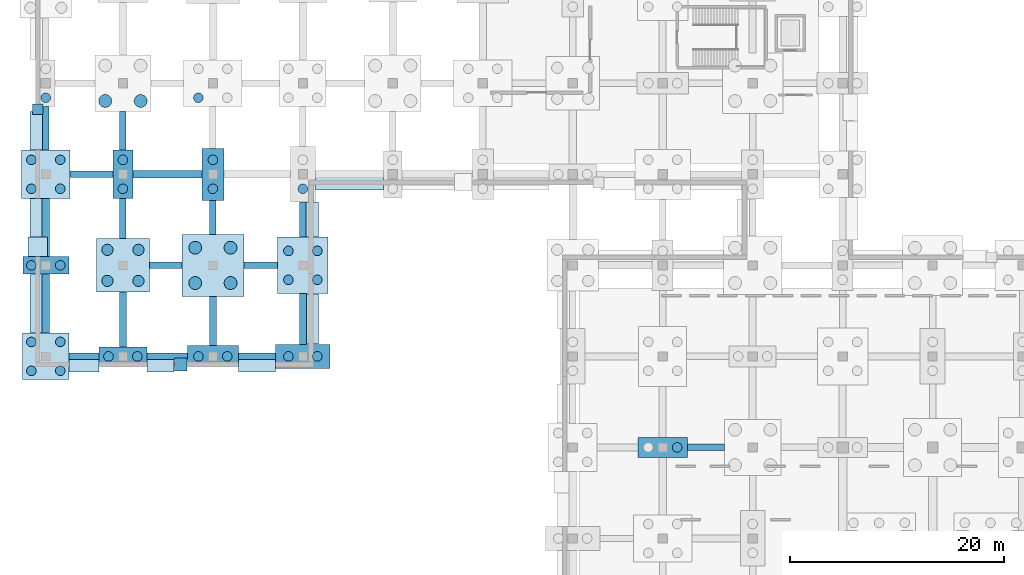
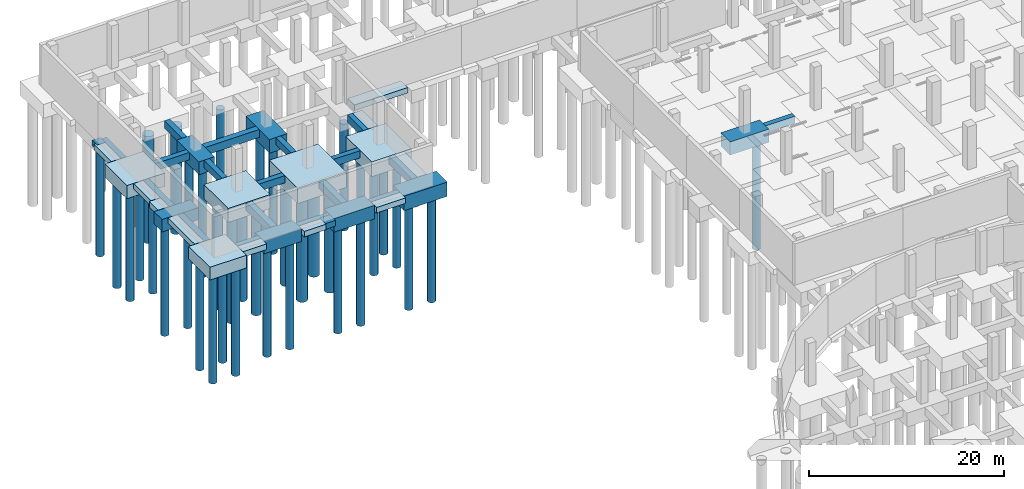
# One storey, part 6 of 34: 42 footings, 38 piles.
"""IFC4 building model written with IfcOpenShell, lengths in metres."""

from ifc_helpers import new_model, si_unit, direction, frame, origin, origin_2d, place, context, subcontext, project, spatial, rectangle, circle, extrude, material, material_profile, profile_set, type_object, element, save


model = new_model("IFC4")

# Units and contexts
model_context = context("Model", 3, precision=1e-05, world=origin(), true_north=direction((0.0, 1.0)))
body_context = subcontext(model_context, "Body", "Model", "MODEL_VIEW")
ifc_project = project(units=[si_unit("LENGTHUNIT", "METRE"), si_unit("AREAUNIT", "SQUARE_METRE"), si_unit("VOLUMEUNIT", "CUBIC_METRE"), si_unit("PLANEANGLEUNIT", "RADIAN"), si_unit("MASSUNIT", "GRAM", prefix="KILO")], contexts=[model_context])

# Site, building, storey
site_placement = place(None, origin())
site = spatial("IfcSite", under=ifc_project, at=site_placement, CompositionType="ELEMENT")
building_placement = place(site_placement, origin())
building = spatial("IfcBuilding", under=site, at=building_placement, Name="Solvento Point Concert Hall", CompositionType="ELEMENT")
storey_placement = place(building_placement, frame((0.0, 0.0, -5.39990234375)))
storey = spatial("IfcBuildingStorey", under=building, at=storey_placement, Name="B01", CompositionType="ELEMENT", Elevation=-5.39990234375)

# Piles
ifc_material_1 = material(Name="Concrete C40/50", Category="concrete")
ifc_material_profile_1 = material_profile(ifc_material_1, circle(Radius=0.52490234375, at=origin_2d()), Name="BP-1050")
ifc_profile_set_1 = profile_set([ifc_material_profile_1], Name="Concrete C40/50")
pile_type_1 = type_object("IfcPileType", Name="BoredPile_1050", PredefinedType="BORED", material=ifc_profile_set_1)
for number, where, z_axis, x_axis, name in (
    (1, (5.75, 109.050048828125, -1.66015625), (0.0, 0.0, -1.0), (1.0, 0.0, 0.0), "Bored pile BoredPile_1050 #19"),
    (2, (8.64990234375, 109.050048828125, -1.66015625), (0.0, 0.0, -1.0), (1.0, 0.0, 0.0), "Bored pile BoredPile_1050 #20"),
    (3, (5.75, 111.949951171875, -1.66015625), (0.0, 0.0, -1.0), (1.0, 0.0, 0.0), "Bored pile BoredPile_1050 #21"),
    (4, (8.64990234375, 111.949951171875, -1.66015625), (0.0, 0.0, -1.0), (1.0, 0.0, 0.0), "Bored pile BoredPile_1050 #22"),
):
    element("IfcPile", number, at=place(storey_placement, frame(where, z_axis=z_axis, x_axis=x_axis)), inside=storey, type_object=pile_type_1, Name=name, PredefinedType="BORED", context=body_context, shape_type="SweptSolid", body=[
        extrude(circle(Radius=0.52490234375, at=origin_2d()), origin(), (0.0, 0.0, 1.0), 13.43994140625),
    ])
ifc_material_2 = material(Name="Concrete C40/50", Category="concrete")
ifc_material_profile_2 = material_profile(ifc_material_2, circle(Radius=0.60009765625, at=origin_2d()), Name="BP-1200")
ifc_profile_set_2 = profile_set([ifc_material_profile_2], Name="Concrete C40/50")
pile_type_2 = type_object("IfcPileType", Name="BoredPile_1200", PredefinedType="BORED", material=ifc_profile_set_2)
for number, where, z_axis, x_axis, name in (
    (5, (5.550048828125, 125.85009765625, -1.7001953125), (0.0, 0.0, -1.0), (1.0, 0.0, 0.0), "Bored pile BoredPile_1200 #25"),
    (6, (8.85009765625, 125.85009765625, -1.7001953125), (0.0, 0.0, -1.0), (1.0, 0.0, 0.0), "Bored pile BoredPile_1200 #26"),
):
    element("IfcPile", number, at=place(storey_placement, frame(where, z_axis=z_axis, x_axis=x_axis)), inside=storey, type_object=pile_type_2, Name=name, PredefinedType="BORED", context=body_context, shape_type="SweptSolid", body=[
        extrude(circle(Radius=0.60009765625, at=origin_2d()), origin(), (0.0, 0.0, 1.0), 13.39990234375),
    ])
for number, where, z_axis, x_axis, name in (
    (7, (13.949951171875, 108.85009765625, -1.85009765625), (0.0, 0.0, -1.0), (1.0, 0.0, 0.0), "Bored pile BoredPile_1200 #43"),
    (8, (17.25, 108.85009765625, -1.85009765625), (0.0, 0.0, -1.0), (1.0, 0.0, 0.0), "Bored pile BoredPile_1200 #44"),
    (9, (13.949951171875, 112.14990234375, -1.85009765625), (0.0, 0.0, -1.0), (1.0, 0.0, 0.0), "Bored pile BoredPile_1200 #45"),
    (10, (17.25, 112.14990234375, -1.85009765625), (0.0, 0.0, -1.0), (1.0, 0.0, 0.0), "Bored pile BoredPile_1200 #46"),
):
    element("IfcPile", number, at=place(storey_placement, frame(where, z_axis=z_axis, x_axis=x_axis)), inside=storey, type_object=pile_type_2, Name=name, PredefinedType="BORED", context=body_context, shape_type="SweptSolid", body=[
        extrude(circle(Radius=0.60009765625, at=origin_2d()), origin(), (0.0, 0.0, 1.0), 13.25),
    ])
ifc_material_3 = material(Name="Concrete C40/50", Category="concrete")
ifc_material_profile_3 = material_profile(ifc_material_3, circle(Radius=0.449951171875, at=origin_2d()), Name="BP-900")
ifc_profile_set_3 = profile_set([ifc_material_profile_3], Name="Concrete C40/50")
pile_type_3 = type_object("IfcPileType", Name="BoredPile_900", PredefinedType="BORED", material=ifc_profile_set_3)
for number, where, z_axis, x_axis, name in (
    (11, (-1.35009765625, 100.64990234375, -1.5), (0.0, 0.0, -1.0), (1.0, 0.0, 0.0), "Bored pile BoredPile_900 #1"),
    (12, (1.35009765625, 100.64990234375, -1.5), (0.0, 0.0, -1.0), (1.0, 0.0, 0.0), "Bored pile BoredPile_900 #2"),
    (13, (-1.35009765625, 103.35009765625, -1.5), (0.0, 0.0, -1.0), (1.0, 0.0, 0.0), "Bored pile BoredPile_900 #3"),
    (14, (1.35009765625, 103.35009765625, -1.5), (0.0, 0.0, -1.0), (1.0, 0.0, 0.0), "Bored pile BoredPile_900 #4"),
):
    element("IfcPile", number, at=place(storey_placement, frame(where, z_axis=z_axis, x_axis=x_axis)), inside=storey, type_object=pile_type_3, Name=name, PredefinedType="BORED", context=body_context, shape_type="SweptSolid", body=[
        extrude(circle(Radius=0.449951171875, at=origin_2d()), origin(), (0.0, 0.0, 1.0), 13.60009765625),
    ])
for number, where, z_axis, x_axis, name in (
    (15, (-1.35009765625, 110.5, -1.4501953125), (0.0, 0.0, -1.0), (1.0, 0.0, 0.0), "Bored pile BoredPile_900 #5"),
    (16, (1.35009765625, 110.5, -1.4501953125), (0.0, 0.0, -1.0), (1.0, 0.0, 0.0), "Bored pile BoredPile_900 #6"),
):
    element("IfcPile", number, at=place(storey_placement, frame(where, z_axis=z_axis, x_axis=x_axis)), inside=storey, type_object=pile_type_3, Name=name, PredefinedType="BORED", context=body_context, shape_type="SweptSolid", body=[
        extrude(circle(Radius=0.449951171875, at=origin_2d()), origin(), (0.0, 0.0, 1.0), 13.64990234375),
    ])
for number, where, z_axis, x_axis, name in (
    (17, (-1.35009765625, 117.64990234375, -1.550048828125), (0.0, 0.0, -1.0), (1.0, 0.0, 0.0), "Bored pile BoredPile_900 #7"),
    (18, (1.35009765625, 117.64990234375, -1.550048828125), (0.0, 0.0, -1.0), (1.0, 0.0, 0.0), "Bored pile BoredPile_900 #8"),
    (19, (-1.35009765625, 120.35009765625, -1.550048828125), (0.0, 0.0, -1.0), (1.0, 0.0, 0.0), "Bored pile BoredPile_900 #9"),
    (20, (1.35009765625, 120.35009765625, -1.550048828125), (0.0, 0.0, -1.0), (1.0, 0.0, 0.0), "Bored pile BoredPile_900 #10"),
):
    element("IfcPile", number, at=place(storey_placement, frame(where, z_axis=z_axis, x_axis=x_axis)), inside=storey, type_object=pile_type_3, Name=name, PredefinedType="BORED", context=body_context, shape_type="SweptSolid", body=[
        extrude(circle(Radius=0.449951171875, at=origin_2d()), origin(), (0.0, 0.0, 1.0), 13.550048828125),
    ])
pile_1_placement = place(storey_placement, frame((0.0, 126.14990234375, -1.47998046875), z_axis=(0.0, 0.0, -1.0), x_axis=(1.0, 0.0, 0.0)))
element("IfcPile", 21, at=pile_1_placement, inside=storey, type_object=pile_type_3, Name="Bored pile BoredPile_900 #11", PredefinedType="BORED", context=body_context, shape_type="SweptSolid", body=[
    extrude(circle(Radius=0.449951171875, at=origin_2d()), origin(), (0.0, 0.0, 1.0), 13.6201171875),
])
for number, where, z_axis, x_axis, name in (
    (22, (5.85009765625, 102.0, -1.5), (0.0, 0.0, -1.0), (1.0, 0.0, 0.0), "Bored pile BoredPile_900 #17"),
    (23, (8.550048828125, 102.0, -1.5), (0.0, 0.0, -1.0), (1.0, 0.0, 0.0), "Bored pile BoredPile_900 #18"),
):
    element("IfcPile", number, at=place(storey_placement, frame(where, z_axis=z_axis, x_axis=x_axis)), inside=storey, type_object=pile_type_3, Name=name, PredefinedType="BORED", context=body_context, shape_type="SweptSolid", body=[
        extrude(circle(Radius=0.449951171875, at=origin_2d()), origin(), (0.0, 0.0, 1.0), 13.60009765625),
    ])
for number, where, z_axis, x_axis, name in (
    (24, (7.199951171875, 117.64990234375, -1.52001953125), (0.0, 0.0, -1.0), (1.0, 0.0, 0.0), "Bored pile BoredPile_900 #23"),
    (25, (7.199951171875, 120.35009765625, -1.52001953125), (0.0, 0.0, -1.0), (1.0, 0.0, 0.0), "Bored pile BoredPile_900 #24"),
):
    element("IfcPile", number, at=place(storey_placement, frame(where, z_axis=z_axis, x_axis=x_axis)), inside=storey, type_object=pile_type_3, Name=name, PredefinedType="BORED", context=body_context, shape_type="SweptSolid", body=[
        extrude(circle(Radius=0.449951171875, at=origin_2d()), origin(), (0.0, 0.0, 1.0), 13.580078125),
    ])
for number, where, z_axis, x_axis, name in (
    (26, (14.25, 102.0, -1.60009765625), (0.0, 0.0, -1.0), (1.0, 0.0, 0.0), "Bored pile BoredPile_900 #41"),
    (27, (16.949951171875, 102.0, -1.60009765625), (0.0, 0.0, -1.0), (1.0, 0.0, 0.0), "Bored pile BoredPile_900 #42"),
):
    element("IfcPile", number, at=place(storey_placement, frame(where, z_axis=z_axis, x_axis=x_axis)), inside=storey, type_object=pile_type_3, Name=name, PredefinedType="BORED", context=body_context, shape_type="SweptSolid", body=[
        extrude(circle(Radius=0.449951171875, at=origin_2d()), origin(), (0.0, 0.0, 1.0), 13.5),
    ])
for number, where, z_axis, x_axis, name in (
    (28, (15.60009765625, 117.64990234375, -1.6201171875), (0.0, 0.0, -1.0), (1.0, 0.0, 0.0), "Bored pile BoredPile_900 #47"),
    (29, (15.60009765625, 120.35009765625, -1.6201171875), (0.0, 0.0, -1.0), (1.0, 0.0, 0.0), "Bored pile BoredPile_900 #48"),
):
    element("IfcPile", number, at=place(storey_placement, frame(where, z_axis=z_axis, x_axis=x_axis)), inside=storey, type_object=pile_type_3, Name=name, PredefinedType="BORED", context=body_context, shape_type="SweptSolid", body=[
        extrude(circle(Radius=0.449951171875, at=origin_2d()), origin(), (0.0, 0.0, 1.0), 13.47998046875),
    ])
pile_2_placement = place(storey_placement, frame((14.25, 126.14990234375, -1.68017578125), z_axis=(0.0, 0.0, -1.0), x_axis=(1.0, 0.0, 0.0)))
element("IfcPile", 30, at=pile_2_placement, inside=storey, type_object=pile_type_3, Name="Bored pile BoredPile_900 #49", PredefinedType="BORED", context=body_context, shape_type="SweptSolid", body=[
    extrude(circle(Radius=0.449951171875, at=origin_2d()), origin(), (0.0, 0.0, 1.0), 13.419921875),
])
for number, where, z_axis, x_axis, name in (
    (31, (22.64990234375, 102.0, -1.7001953125), (0.0, 0.0, -1.0), (1.0, 0.0, 0.0), "Bored pile BoredPile_900 #65"),
    (32, (25.35009765625, 102.0, -1.7001953125), (0.0, 0.0, -1.0), (1.0, 0.0, 0.0), "Bored pile BoredPile_900 #66"),
):
    element("IfcPile", number, at=place(storey_placement, frame(where, z_axis=z_axis, x_axis=x_axis)), inside=storey, type_object=pile_type_3, Name=name, PredefinedType="BORED", context=body_context, shape_type="SweptSolid", body=[
        extrude(circle(Radius=0.449951171875, at=origin_2d()), origin(), (0.0, 0.0, 1.0), 13.39990234375),
    ])
for number, where, z_axis, x_axis, name in (
    (33, (22.64990234375, 109.14990234375, -1.760009765625), (0.0, 0.0, -1.0), (1.0, 0.0, 0.0), "Bored pile BoredPile_900 #67"),
    (34, (25.35009765625, 109.14990234375, -1.760009765625), (0.0, 0.0, -1.0), (1.0, 0.0, 0.0), "Bored pile BoredPile_900 #68"),
    (35, (22.64990234375, 111.85009765625, -1.760009765625), (0.0, 0.0, -1.0), (1.0, 0.0, 0.0), "Bored pile BoredPile_900 #69"),
    (36, (25.35009765625, 111.85009765625, -1.760009765625), (0.0, 0.0, -1.0), (1.0, 0.0, 0.0), "Bored pile BoredPile_900 #70"),
):
    element("IfcPile", number, at=place(storey_placement, frame(where, z_axis=z_axis, x_axis=x_axis)), inside=storey, type_object=pile_type_3, Name=name, PredefinedType="BORED", context=body_context, shape_type="SweptSolid", body=[
        extrude(circle(Radius=0.449951171875, at=origin_2d()), origin(), (0.0, 0.0, 1.0), 13.340087890625),
    ])
pile_3_placement = place(storey_placement, frame((24.0, 117.64990234375, -1.739990234375), z_axis=(0.0, 0.0, -1.0), x_axis=(1.0, 0.0, 0.0)))
element("IfcPile", 37, at=pile_3_placement, inside=storey, type_object=pile_type_3, Name="Bored pile BoredPile_900 #71", PredefinedType="BORED", context=body_context, shape_type="SweptSolid", body=[
    extrude(circle(Radius=0.449951171875, at=origin_2d()), origin(), (0.0, 0.0, 1.0), 13.360107421875),
])
pile_4_placement = place(storey_placement, frame((58.949951171875, 93.5, -1.550048828125), z_axis=(0.0, 0.0, -1.0), x_axis=(1.0, 0.0, 0.0)))
element("IfcPile", 38, at=pile_4_placement, inside=storey, type_object=pile_type_3, Name="Bored pile BoredPile_900 #198", PredefinedType="BORED", context=body_context, shape_type="SweptSolid", body=[
    extrude(circle(Radius=0.449951171875, at=origin_2d()), origin(), (0.0, 0.0, 1.0), 13.550048828125),
])

# Footings
ifc_material_4 = material(Name="Concrete C40/50", Category="concrete")
footing_type_1 = type_object("IfcFootingType", Name="PileCap_2A", PredefinedType="PILE_CAP", material=ifc_material_4)
footing_1_placement = place(storey_placement, frame((0.0, 110.5, -1.55029296875), z_axis=(0.0, 0.0, 1.0), x_axis=(1.0, 0.0, 0.0)))
element("IfcFooting", 39, at=footing_1_placement, inside=storey, type_object=footing_type_1, Name="Pile cap PC-2A at G-01-P", PredefinedType="PILE_CAP", context=body_context, shape_type="SweptSolid", body=[
    extrude(rectangle(XDim=4.300048828125, YDim=1.64990234375, at=origin_2d()), origin(), (0.0, 0.0, 1.0), 1.550048828125),
])
ifc_material_5 = material(Name="Concrete C40/50", Category="concrete")
footing_type_2 = type_object("IfcFootingType", Name="PileCap_2C", PredefinedType="PILE_CAP", material=ifc_material_5)
footing_2_placement = place(storey_placement, frame((7.199951171875, 102.0, -1.60009765625), z_axis=(0.0, 0.0, 1.0), x_axis=(1.0, 0.0, 0.0)))
element("IfcFooting", 40, at=footing_2_placement, inside=storey, type_object=footing_type_2, Name="Pile cap PC-2C at G-02-N", PredefinedType="PILE_CAP", context=body_context, shape_type="SweptSolid", body=[
    extrude(rectangle(XDim=4.4599609375, YDim=1.780029296875, at=origin_2d()), origin(), (0.0, 0.0, 1.0), 1.60009765625),
])
ifc_material_6 = material(Name="Concrete C40/50", Category="concrete")
footing_type_3 = type_object("IfcFootingType", Name="PileCap_2D", PredefinedType="PILE_CAP", material=ifc_material_6)
footing_3_placement = place(storey_placement, frame((7.199951171875, 119.0, -1.6201171875), z_axis=(0.0, 0.0, 1.0), x_axis=(1.0, 0.0, 0.0)))
element("IfcFooting", 41, at=footing_3_placement, inside=storey, type_object=footing_type_3, Name="Pile cap PC-2D at G-02-Q", PredefinedType="PILE_CAP", context=body_context, shape_type="SweptSolid", body=[
    extrude(rectangle(XDim=1.840087890625, YDim=4.5400390625, at=origin_2d()), origin(), (0.0, 0.0, 1.0), 1.6201171875),
])
ifc_material_7 = material(Name="Concrete C40/50", Category="concrete")
footing_type_4 = type_object("IfcFootingType", Name="PileCap_2E", PredefinedType="PILE_CAP", material=ifc_material_7)
footing_4_placement = place(storey_placement, frame((57.60009765625, 93.5, -1.650146484375), z_axis=(0.0, 0.0, 1.0), x_axis=(1.0, 0.0, 0.0)))
element("IfcFooting", 42, at=footing_4_placement, inside=storey, type_object=footing_type_4, Name="Pile cap PC-2E at G-08-M", PredefinedType="PILE_CAP", context=body_context, shape_type="SweptSolid", body=[
    extrude(rectangle(XDim=4.6201171875, YDim=1.89990234375, at=origin_2d()), origin(), (0.0, 0.0, 1.0), 1.64990234375),
])
ifc_material_8 = material(Name="Concrete C40/50", Category="concrete")
footing_type_5 = type_object("IfcFootingType", Name="PileCap_2G", PredefinedType="PILE_CAP", material=ifc_material_8)
footing_5_placement = place(storey_placement, frame((15.60009765625, 102.0, -1.7001953125), z_axis=(0.0, 0.0, 1.0), x_axis=(1.0, 0.0, 0.0)))
element("IfcFooting", 43, at=footing_5_placement, inside=storey, type_object=footing_type_5, Name="Pile cap PC-2G at G-03-N", PredefinedType="PILE_CAP", context=body_context, shape_type="SweptSolid", body=[
    extrude(rectangle(XDim=4.780029296875, YDim=2.02001953125, at=origin_2d()), origin(), (0.0, 0.0, 1.0), 1.699951171875),
])
ifc_material_9 = material(Name="Concrete C40/50", Category="concrete")
footing_type_6 = type_object("IfcFootingType", Name="PileCap_2H", PredefinedType="PILE_CAP", material=ifc_material_9)
footing_6_placement = place(storey_placement, frame((15.60009765625, 119.0, -1.72021484375), z_axis=(0.0, 0.0, 1.0), x_axis=(1.0, 0.0, 0.0)))
element("IfcFooting", 44, at=footing_6_placement, inside=storey, type_object=footing_type_6, Name="Pile cap PC-2H at G-03-Q", PredefinedType="PILE_CAP", context=body_context, shape_type="SweptSolid", body=[
    extrude(rectangle(XDim=2.080078125, YDim=4.860107421875, at=origin_2d()), origin(), (0.0, 0.0, 1.0), 1.719970703125),
])
ifc_material_10 = material(Name="Concrete C40/50", Category="concrete")
footing_type_7 = type_object("IfcFootingType", Name="PileCap_2L", PredefinedType="PILE_CAP", material=ifc_material_10)
footing_7_placement = place(storey_placement, frame((24.0, 102.0, -1.80029296875), z_axis=(0.0, 0.0, 1.0), x_axis=(1.0, 0.0, 0.0)))
element("IfcFooting", 45, at=footing_7_placement, inside=storey, type_object=footing_type_7, Name="Pile cap PC-2L at G-04-N", PredefinedType="PILE_CAP", context=body_context, shape_type="SweptSolid", body=[
    extrude(rectangle(XDim=5.10009765625, YDim=2.260009765625, at=origin_2d()), origin(), (0.0, 0.0, 1.0), 1.800048828125),
])
ifc_material_11 = material(Name="Concrete C40/50", Category="concrete")
footing_type_8 = type_object("IfcFootingType", Name="PileCap_4A", PredefinedType="PILE_CAP", material=ifc_material_11)
footing_8_placement = place(storey_placement, frame((0.0, 102.0, -1.60009765625), z_axis=(0.0, 0.0, 1.0), x_axis=(1.0, 0.0, 0.0)))
element("IfcFooting", 46, at=footing_8_placement, inside=storey, type_object=footing_type_8, Name="Pile cap PC-4A at G-01-N", PredefinedType="PILE_CAP", context=body_context, shape_type="SweptSolid", body=[
    extrude(rectangle(XDim=4.35009765625, YDim=4.35009765625, at=origin_2d()), origin(), (0.0, 0.0, 1.0), 1.60009765625),
])
ifc_material_12 = material(Name="Concrete C40/50", Category="concrete")
footing_type_9 = type_object("IfcFootingType", Name="PileCap_4B", PredefinedType="PILE_CAP", material=ifc_material_12)
footing_9_placement = place(storey_placement, frame((0.0, 119.0, -1.650146484375), z_axis=(0.0, 0.0, 1.0), x_axis=(1.0, 0.0, 0.0)))
element("IfcFooting", 47, at=footing_9_placement, inside=storey, type_object=footing_type_9, Name="Pile cap PC-4B at G-01-Q", PredefinedType="PILE_CAP", context=body_context, shape_type="SweptSolid", body=[
    extrude(rectangle(XDim=4.5, YDim=4.5, at=origin_2d()), origin(), (0.0, 0.0, 1.0), 1.64990234375),
])
ifc_material_13 = material(Name="Concrete C40/50", Category="concrete")
footing_type_10 = type_object("IfcFootingType", Name="PileCap_4D", PredefinedType="PILE_CAP", material=ifc_material_13)
footing_10_placement = place(storey_placement, frame((7.199951171875, 110.5, -1.76025390625), z_axis=(0.0, 0.0, 1.0), x_axis=(1.0, 0.0, 0.0)))
element("IfcFooting", 48, at=footing_10_placement, inside=storey, type_object=footing_type_10, Name="Pile cap PC-4D at G-02-P", PredefinedType="PILE_CAP", context=body_context, shape_type="SweptSolid", body=[
    extrude(rectangle(XDim=4.97998046875, YDim=4.97998046875, at=origin_2d()), origin(), (0.0, 0.0, 1.0), 1.760009765625),
])
ifc_material_14 = material(Name="Concrete C40/50", Category="concrete")
footing_type_11 = type_object("IfcFootingType", Name="PileCap_4H", PredefinedType="PILE_CAP", material=ifc_material_14)
footing_11_placement = place(storey_placement, frame((15.60009765625, 110.5, -1.9501953125), z_axis=(0.0, 0.0, 1.0), x_axis=(1.0, 0.0, 0.0)))
element("IfcFooting", 49, at=footing_11_placement, inside=storey, type_object=footing_type_11, Name="Pile cap PC-4H at G-03-P", PredefinedType="PILE_CAP", context=body_context, shape_type="SweptSolid", body=[
    extrude(rectangle(XDim=5.800048828125, YDim=5.800048828125, at=origin_2d()), origin(), (0.0, 0.0, 1.0), 1.949951171875),
])
ifc_material_15 = material(Name="Concrete C40/50", Category="concrete")
footing_type_12 = type_object("IfcFootingType", Name="PileCap_4M", PredefinedType="PILE_CAP", material=ifc_material_15)
footing_12_placement = place(storey_placement, frame((24.0, 110.5, -1.8603515625), z_axis=(0.0, 0.0, 1.0), x_axis=(1.0, 0.0, 0.0)))
element("IfcFooting", 50, at=footing_12_placement, inside=storey, type_object=footing_type_12, Name="Pile cap PC-4M at G-04-P", PredefinedType="PILE_CAP", context=body_context, shape_type="SweptSolid", body=[
    extrude(rectangle(XDim=4.739990234375, YDim=5.300048828125, at=origin_2d()), origin(), (0.0, 0.0, 1.0), 1.860107421875),
])
ifc_material_16 = material(Name="Concrete C40/50", Category="concrete")
footing_type_13 = type_object("IfcFootingType", Name="StripFooting_1400x700", PredefinedType="STRIP_FOOTING", material=ifc_material_16)
footing_13_placement = place(storey_placement, frame((28.35009765625, 118.2451171875, -0.7001953125), z_axis=(0.0, 0.0, 1.0), x_axis=(-1.0, 0.0, 0.0)))
element("IfcFooting", 51, at=footing_13_placement, inside=storey, type_object=footing_type_13, Name="Strip footing SF-02", PredefinedType="STRIP_FOOTING", context=body_context, shape_type="SweptSolid", body=[
    extrude(rectangle(XDim=6.360107421875, YDim=1.39990234375, at=origin_2d()), origin(), (0.0, 0.0, 1.0), 0.699951171875),
])
footing_14_placement = place(storey_placement, frame((24.7548828125, 114.780029296875, -0.7001953125), z_axis=(0.0, 0.0, 1.0), x_axis=(0.0, -1.0, 0.0)))
element("IfcFooting", 52, at=footing_14_placement, inside=storey, type_object=footing_type_13, Name="Strip footing SF-02", PredefinedType="STRIP_FOOTING", context=body_context, shape_type="SweptSolid", body=[
    extrude(rectangle(XDim=3.239990234375, YDim=1.39990234375, at=origin_2d()), origin(), (0.0, 0.0, 1.0), 0.699951171875),
])
footing_15_placement = place(storey_placement, frame((24.7548828125, 105.489990234375, -0.7001953125), z_axis=(0.0, 0.0, 1.0), x_axis=(0.0, -1.0, 0.0)))
element("IfcFooting", 53, at=footing_15_placement, inside=storey, type_object=footing_type_13, Name="Strip footing SF-02", PredefinedType="STRIP_FOOTING", context=body_context, shape_type="SweptSolid", body=[
    extrude(rectangle(XDim=4.699951171875, YDim=1.39990234375, at=origin_2d()), origin(), (0.0, 0.0, 1.0), 0.699951171875),
])
footing_16_placement = place(storey_placement, frame((19.719970703125, 101.2451171875, -0.7001953125), z_axis=(0.0, 0.0, 1.0), x_axis=(-1.0, 0.0, 0.0)))
element("IfcFooting", 54, at=footing_16_placement, inside=storey, type_object=footing_type_13, Name="Strip footing SF-02", PredefinedType="STRIP_FOOTING", context=body_context, shape_type="SweptSolid", body=[
    extrude(rectangle(XDim=3.43994140625, YDim=1.39990234375, at=origin_2d()), origin(), (0.0, 0.0, 1.0), 0.699951171875),
])
footing_17_placement = place(storey_placement, frame((12.60009765625, 101.2451171875, -0.7001953125), z_axis=(0.0, 0.0, 1.0), x_axis=(-1.0, 0.0, 0.0)))
element("IfcFooting", 55, at=footing_17_placement, inside=storey, type_object=footing_type_13, Name="Strip footing SF-02", PredefinedType="STRIP_FOOTING", context=body_context, shape_type="SweptSolid", body=[
    extrude(rectangle(XDim=1.199951171875, YDim=1.199951171875, at=origin_2d()), origin(), (0.0, 0.0, 1.0), 0.699951171875),
])
footing_18_placement = place(storey_placement, frame((10.715087890625, 101.2451171875, -0.7001953125), z_axis=(0.0, 0.0, 1.0), x_axis=(-1.0, 0.0, 0.0)))
element("IfcFooting", 56, at=footing_18_placement, inside=storey, type_object=footing_type_13, Name="Strip footing SF-02", PredefinedType="STRIP_FOOTING", context=body_context, shape_type="SweptSolid", body=[
    extrude(rectangle(XDim=2.550048828125, YDim=1.39990234375, at=origin_2d()), origin(), (0.0, 0.0, 1.0), 0.699951171875),
])
footing_19_placement = place(storey_placement, frame((3.572509765625, 101.2451171875, -0.7001953125), z_axis=(0.0, 0.0, 1.0), x_axis=(-1.0, 0.0, 0.0)))
element("IfcFooting", 57, at=footing_19_placement, inside=storey, type_object=footing_type_13, Name="Strip footing SF-02", PredefinedType="STRIP_FOOTING", context=body_context, shape_type="SweptSolid", body=[
    extrude(rectangle(XDim=2.77490234375, YDim=1.39990234375, at=origin_2d()), origin(), (0.0, 0.0, 1.0), 0.699951171875),
])
footing_20_placement = place(storey_placement, frame((-0.7548828125, 106.925048828125, -0.7001953125), z_axis=(0.0, 0.0, 1.0), x_axis=(0.0, 1.0, 0.0)))
element("IfcFooting", 58, at=footing_20_placement, inside=storey, type_object=footing_type_13, Name="Strip footing SF-02", PredefinedType="STRIP_FOOTING", context=body_context, shape_type="SweptSolid", body=[
    extrude(rectangle(XDim=5.47998046875, YDim=1.39990234375, at=origin_2d()), origin(), (0.0, 0.0, 1.0), 0.699951171875),
])
footing_21_placement = place(storey_placement, frame((-0.7548828125, 112.245849609375, -0.7001953125), z_axis=(0.0, 0.0, 1.0), x_axis=(0.0, 1.0, 0.0)))
element("IfcFooting", 59, at=footing_21_placement, inside=storey, type_object=footing_type_13, Name="Strip footing SF-02", PredefinedType="STRIP_FOOTING", context=body_context, shape_type="SweptSolid", body=[
    extrude(rectangle(XDim=1.82177734375, YDim=1.82177734375, at=origin_2d()), origin(), (0.0, 0.0, 1.0), 0.699951171875),
])
footing_22_placement = place(storey_placement, frame((-0.7548828125, 114.953369140625, -0.7001953125), z_axis=(0.0, 0.0, 1.0), x_axis=(0.0, 1.0, 0.0)))
element("IfcFooting", 60, at=footing_22_placement, inside=storey, type_object=footing_type_13, Name="Strip footing SF-02", PredefinedType="STRIP_FOOTING", context=body_context, shape_type="SweptSolid", body=[
    extrude(rectangle(XDim=3.5732421875, YDim=1.39990234375, at=origin_2d()), origin(), (0.0, 0.0, 1.0), 0.699951171875),
])
footing_23_placement = place(storey_placement, frame((-0.7548828125, 123.051513671875, -0.7001953125), z_axis=(0.0, 0.0, 1.0), x_axis=(0.0, 1.0, 0.0)))
element("IfcFooting", 61, at=footing_23_placement, inside=storey, type_object=footing_type_13, Name="Strip footing SF-02", PredefinedType="STRIP_FOOTING", context=body_context, shape_type="SweptSolid", body=[
    extrude(rectangle(XDim=3.583251953125, YDim=1.39990234375, at=origin_2d()), origin(), (0.0, 0.0, 1.0), 0.699951171875),
])
footing_24_placement = place(storey_placement, frame((-0.7548828125, 125.07666015625, -0.7001953125), z_axis=(0.0, 0.0, 1.0), x_axis=(0.0, 1.0, 0.0)))
element("IfcFooting", 62, at=footing_24_placement, inside=storey, type_object=footing_type_13, Name="Strip footing SF-02", PredefinedType="STRIP_FOOTING", context=body_context, shape_type="SweptSolid", body=[
    extrude(rectangle(XDim=1.0, YDim=1.0, at=origin_2d()), origin(), (0.0, 0.0, 1.0), 0.699951171875),
])
ifc_material_17 = material(Name="Concrete C40/50", Category="concrete")
footing_type_14 = type_object("IfcFootingType", Name="TieBeam_600x900", PredefinedType="FOOTING_BEAM", material=ifc_material_17)
footing_25_placement = place(storey_placement, frame((61.642578125, 93.5, -0.900146484375), z_axis=(0.0, 0.0, 1.0), x_axis=(1.0, 0.0, 0.0)))
element("IfcFooting", 63, at=footing_25_placement, inside=storey, type_object=footing_type_14, Name="Seismic tie beam GB-01", PredefinedType="FOOTING_BEAM", context=body_context, shape_type="SweptSolid", body=[
    extrude(rectangle(XDim=3.465087890625, YDim=0.60009765625, at=origin_2d()), origin(), (0.0, 0.0, 1.0), 0.89990234375),
])
footing_26_placement = place(storey_placement, frame((3.572509765625, 102.0, -0.900146484375), z_axis=(0.0, 0.0, 1.0), x_axis=(1.0, 0.0, 0.0)))
element("IfcFooting", 64, at=footing_26_placement, inside=storey, type_object=footing_type_14, Name="Seismic tie beam GB-01", PredefinedType="FOOTING_BEAM", context=body_context, shape_type="SweptSolid", body=[
    extrude(rectangle(XDim=2.794921875, YDim=0.60009765625, at=origin_2d()), origin(), (0.0, 0.0, 1.0), 0.89990234375),
])
footing_27_placement = place(storey_placement, frame((19.719970703125, 102.0, -0.900146484375), z_axis=(0.0, 0.0, 1.0), x_axis=(1.0, 0.0, 0.0)))
element("IfcFooting", 65, at=footing_27_placement, inside=storey, type_object=footing_type_14, Name="Seismic tie beam GB-01", PredefinedType="FOOTING_BEAM", context=body_context, shape_type="SweptSolid", body=[
    extrude(rectangle(XDim=3.4599609375, YDim=0.60009765625, at=origin_2d()), origin(), (0.0, 0.0, 1.0), 0.89990234375),
])
footing_28_placement = place(storey_placement, frame((11.195068359375, 110.5, -0.900146484375), z_axis=(0.0, 0.0, 1.0), x_axis=(1.0, 0.0, 0.0)))
element("IfcFooting", 66, at=footing_28_placement, inside=storey, type_object=footing_type_14, Name="Seismic tie beam GB-01", PredefinedType="FOOTING_BEAM", context=body_context, shape_type="SweptSolid", body=[
    extrude(rectangle(XDim=3.010009765625, YDim=0.60009765625, at=origin_2d()), origin(), (0.0, 0.0, 1.0), 0.89990234375),
])
footing_29_placement = place(storey_placement, frame((20.06494140625, 110.5, -0.900146484375), z_axis=(0.0, 0.0, 1.0), x_axis=(1.0, 0.0, 0.0)))
element("IfcFooting", 67, at=footing_29_placement, inside=storey, type_object=footing_type_14, Name="Seismic tie beam GB-01", PredefinedType="FOOTING_BEAM", context=body_context, shape_type="SweptSolid", body=[
    extrude(rectangle(XDim=3.1298828125, YDim=0.60009765625, at=origin_2d()), origin(), (0.0, 0.0, 1.0), 0.89990234375),
])
footing_30_placement = place(storey_placement, frame((15.60009765625, 114.985107421875, -0.900146484375), z_axis=(0.0, 0.0, 1.0), x_axis=(0.0, 1.0, 0.0)))
element("IfcFooting", 68, at=footing_30_placement, inside=storey, type_object=footing_type_14, Name="Seismic tie beam GB-01", PredefinedType="FOOTING_BEAM", context=body_context, shape_type="SweptSolid", body=[
    extrude(rectangle(XDim=3.169921875, YDim=0.60009765625, at=origin_2d()), origin(), (0.0, 0.0, 1.0), 0.89990234375),
])
footing_31_placement = place(storey_placement, frame((24.0, 114.780029296875, -0.900146484375), z_axis=(0.0, 0.0, 1.0), x_axis=(0.0, 1.0, 0.0)))
element("IfcFooting", 69, at=footing_31_placement, inside=storey, type_object=footing_type_14, Name="Seismic tie beam GB-01", PredefinedType="FOOTING_BEAM", context=body_context, shape_type="SweptSolid", body=[
    extrude(rectangle(XDim=3.260009765625, YDim=0.60009765625, at=origin_2d()), origin(), (0.0, 0.0, 1.0), 0.89990234375),
])
ifc_material_18 = material(Name="Concrete C40/50", Category="concrete")
footing_type_15 = type_object("IfcFootingType", Name="TieBeam_620x920", PredefinedType="FOOTING_BEAM", material=ifc_material_18)
footing_32_placement = place(storey_placement, frame((11.320068359375, 102.0, -0.920166015625), z_axis=(0.0, 0.0, 1.0), x_axis=(1.0, 0.0, 0.0)))
element("IfcFooting", 70, at=footing_32_placement, inside=storey, type_object=footing_type_15, Name="Seismic tie beam GB-02", PredefinedType="FOOTING_BEAM", context=body_context, shape_type="SweptSolid", body=[
    extrude(rectangle(XDim=3.780029296875, YDim=0.6201171875, at=origin_2d()), origin(), (0.0, 0.0, 1.0), 0.919921875),
])
footing_33_placement = place(storey_placement, frame((4.264892578125, 119.0, -0.920166015625), z_axis=(0.0, 0.0, 1.0), x_axis=(1.0, 0.0, 0.0)))
element("IfcFooting", 71, at=footing_33_placement, inside=storey, type_object=footing_type_15, Name="Seismic tie beam GB-02", PredefinedType="FOOTING_BEAM", context=body_context, shape_type="SweptSolid", body=[
    extrude(rectangle(XDim=4.030029296875, YDim=0.6201171875, at=origin_2d()), origin(), (0.0, 0.0, 1.0), 0.919921875),
])
footing_34_placement = place(storey_placement, frame((0.0, 123.280029296875, -0.920166015625), z_axis=(0.0, 0.0, 1.0), x_axis=(0.0, 1.0, 0.0)))
element("IfcFooting", 72, at=footing_34_placement, inside=storey, type_object=footing_type_15, Name="Seismic tie beam GB-02", PredefinedType="FOOTING_BEAM", context=body_context, shape_type="SweptSolid", body=[
    extrude(rectangle(XDim=4.06005859375, YDim=0.6201171875, at=origin_2d()), origin(), (0.0, 0.0, 1.0), 0.919921875),
])
footing_35_placement = place(storey_placement, frame((7.199951171875, 114.860107421875, -0.920166015625), z_axis=(0.0, 0.0, 1.0), x_axis=(0.0, 1.0, 0.0)))
element("IfcFooting", 73, at=footing_35_placement, inside=storey, type_object=footing_type_15, Name="Seismic tie beam GB-02", PredefinedType="FOOTING_BEAM", context=body_context, shape_type="SweptSolid", body=[
    extrude(rectangle(XDim=3.739990234375, YDim=0.6201171875, at=origin_2d()), origin(), (0.0, 0.0, 1.0), 0.919921875),
])
footing_36_placement = place(storey_placement, frame((7.199951171875, 123.072509765625, -0.920166015625), z_axis=(0.0, 0.0, 1.0), x_axis=(0.0, 1.0, 0.0)))
element("IfcFooting", 74, at=footing_36_placement, inside=storey, type_object=footing_type_15, Name="Seismic tie beam GB-02", PredefinedType="FOOTING_BEAM", context=body_context, shape_type="SweptSolid", body=[
    extrude(rectangle(XDim=3.60498046875, YDim=0.6201171875, at=origin_2d()), origin(), (0.0, 0.0, 1.0), 0.919921875),
])
ifc_material_19 = material(Name="Concrete C40/50", Category="concrete")
footing_type_16 = type_object("IfcFootingType", Name="TieBeam_650x950", PredefinedType="FOOTING_BEAM", material=ifc_material_19)
footing_37_placement = place(storey_placement, frame((15.60009765625, 105.304931640625, -0.9501953125), z_axis=(0.0, 0.0, 1.0), x_axis=(0.0, 1.0, 0.0)))
element("IfcFooting", 75, at=footing_37_placement, inside=storey, type_object=footing_type_16, Name="Seismic tie beam GB-03", PredefinedType="FOOTING_BEAM", context=body_context, shape_type="SweptSolid", body=[
    extrude(rectangle(XDim=4.590087890625, YDim=0.64990234375, at=origin_2d()), origin(), (0.0, 0.0, 1.0), 0.949951171875),
])
footing_38_placement = place(storey_placement, frame((24.0, 105.489990234375, -0.9501953125), z_axis=(0.0, 0.0, 1.0), x_axis=(0.0, 1.0, 0.0)))
element("IfcFooting", 76, at=footing_38_placement, inside=storey, type_object=footing_type_16, Name="Seismic tie beam GB-03", PredefinedType="FOOTING_BEAM", context=body_context, shape_type="SweptSolid", body=[
    extrude(rectangle(XDim=4.719970703125, YDim=0.64990234375, at=origin_2d()), origin(), (0.0, 0.0, 1.0), 0.949951171875),
])
ifc_material_20 = material(Name="Concrete C40/50", Category="concrete")
footing_type_17 = type_object("IfcFootingType", Name="TieBeam_680x980", PredefinedType="FOOTING_BEAM", material=ifc_material_20)
footing_39_placement = place(storey_placement, frame((0.0, 106.925048828125, -0.97998046875), z_axis=(0.0, 0.0, 1.0), x_axis=(0.0, 1.0, 0.0)))
element("IfcFooting", 77, at=footing_39_placement, inside=storey, type_object=footing_type_17, Name="Seismic tie beam GB-04", PredefinedType="FOOTING_BEAM", context=body_context, shape_type="SweptSolid", body=[
    extrude(rectangle(XDim=5.5, YDim=0.679931640625, at=origin_2d()), origin(), (0.0, 0.0, 1.0), 0.97998046875),
])
footing_40_placement = place(storey_placement, frame((0.0, 114.03759765625, -0.97998046875), z_axis=(0.0, 0.0, 1.0), x_axis=(0.0, 1.0, 0.0)))
element("IfcFooting", 78, at=footing_40_placement, inside=storey, type_object=footing_type_17, Name="Seismic tie beam GB-04", PredefinedType="FOOTING_BEAM", context=body_context, shape_type="SweptSolid", body=[
    extrude(rectangle(XDim=5.425048828125, YDim=0.679931640625, at=origin_2d()), origin(), (0.0, 0.0, 1.0), 0.97998046875),
])
footing_41_placement = place(storey_placement, frame((7.199951171875, 105.449951171875, -0.97998046875), z_axis=(0.0, 0.0, 1.0), x_axis=(0.0, 1.0, 0.0)))
element("IfcFooting", 79, at=footing_41_placement, inside=storey, type_object=footing_type_17, Name="Seismic tie beam GB-04", PredefinedType="FOOTING_BEAM", context=body_context, shape_type="SweptSolid", body=[
    extrude(rectangle(XDim=5.1201171875, YDim=0.679931640625, at=origin_2d()), origin(), (0.0, 0.0, 1.0), 0.97998046875),
])
ifc_material_21 = material(Name="Concrete C40/50", Category="concrete")
footing_type_18 = type_object("IfcFootingType", Name="TieBeam_700x1000", PredefinedType="FOOTING_BEAM", material=ifc_material_21)
footing_42_placement = place(storey_placement, frame((11.340087890625, 119.0, -1.0), z_axis=(0.0, 0.0, 1.0), x_axis=(1.0, 0.0, 0.0)))
element("IfcFooting", 80, at=footing_42_placement, inside=storey, type_object=footing_type_18, Name="Seismic tie beam GB-05", PredefinedType="FOOTING_BEAM", context=body_context, shape_type="SweptSolid", body=[
    extrude(rectangle(XDim=6.43994140625, YDim=0.699951171875, at=origin_2d()), origin(), (0.0, 0.0, 1.0), 1.0),
])

save(model, "model.ifc")
